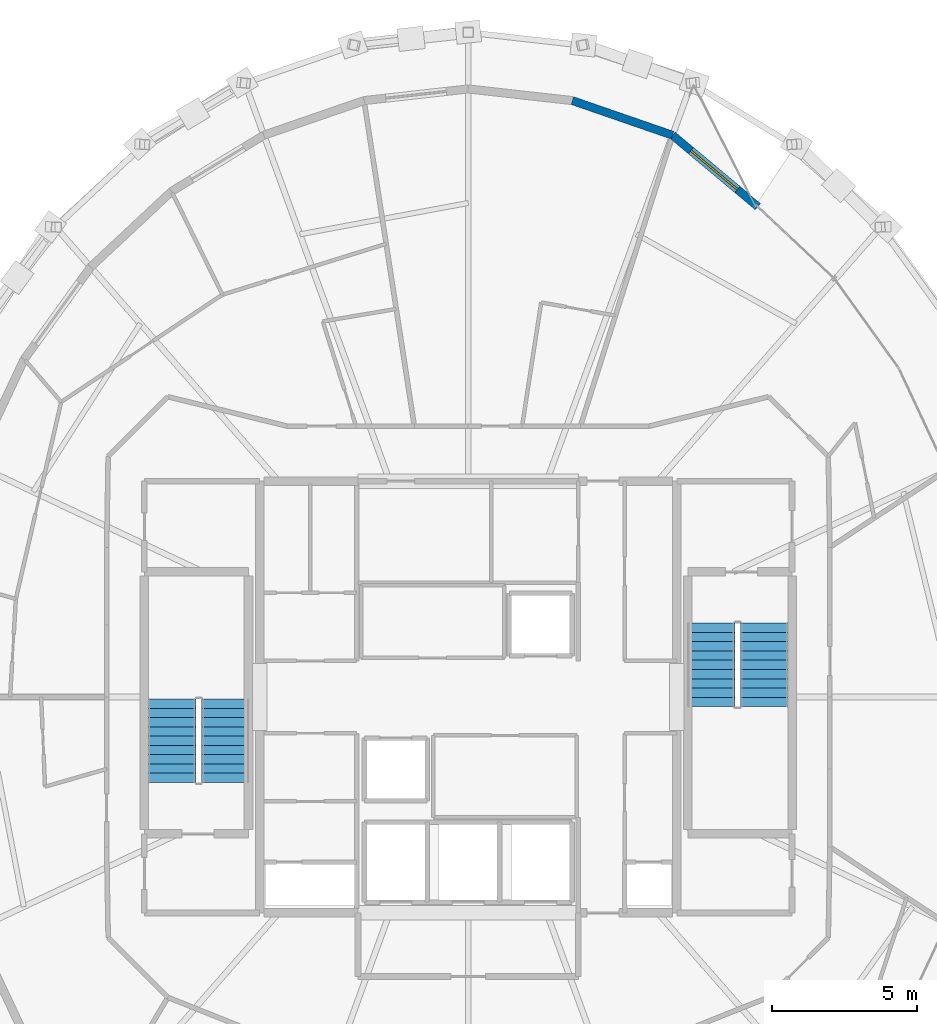
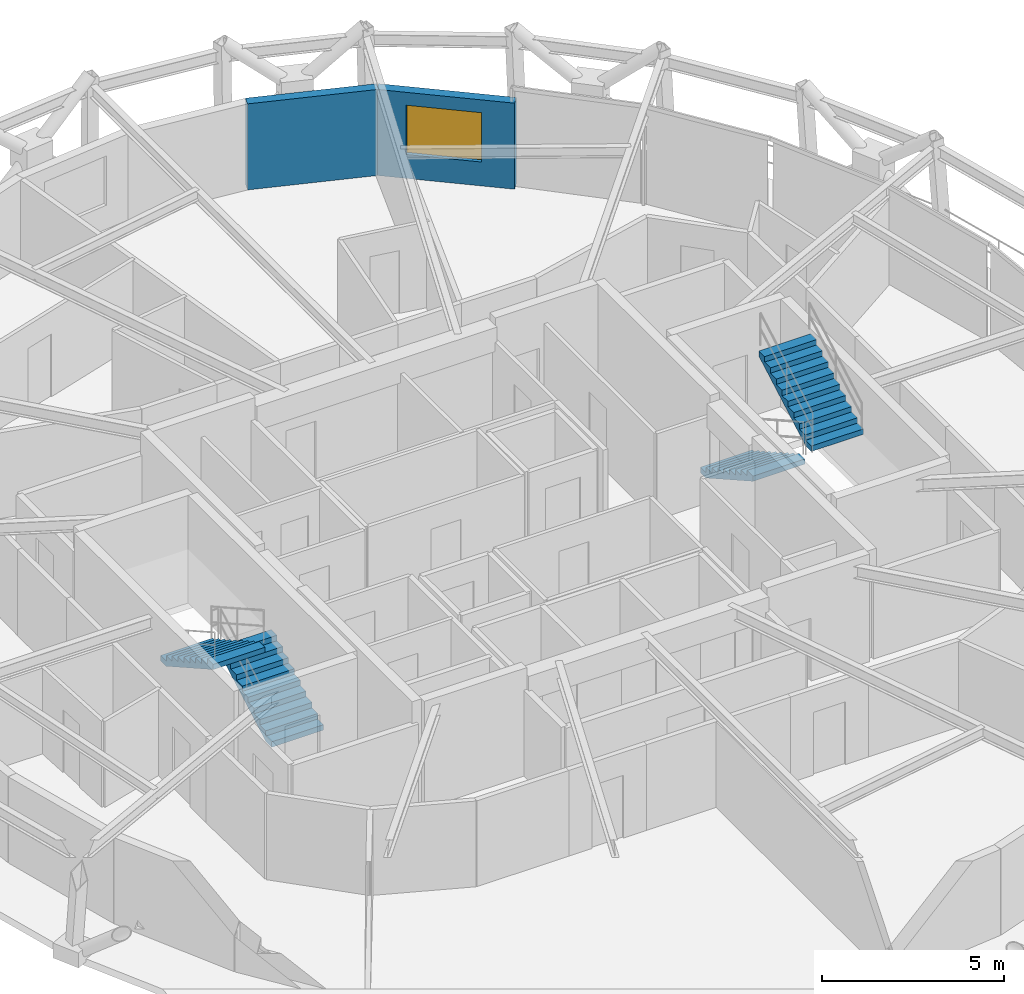
# One storey, part 15 of 16: 4 stair flights, 2 walls, 1 window, 1 opening, 2 elements without a shape of their own.
"""IFC4 building model written with IfcOpenShell, lengths in metres."""

import ifcopenshell
import ifcopenshell.guid

model = None  # the IFC model being written
_history = None  # IfcOwnerHistory: only IFC2X3 demands one
_inside = {}  # id of a spatial element -> (the spatial element, [elements in it])
_under = {}  # id of a project, library or spatial element -> (it, [spatial elements below it])
_declared = {}  # id of a project -> (the project, [libraries it declares])
_typed = {}  # id of a type object -> (the type object, [elements of that type])
_made_of = {}  # id of a material, layer set ... -> (it, [elements and type objects made of it])


def new_model(schema):
    """Start an empty IFC model of exactly this schema.

    Asked for "IFC4X3", IfcOpenShell would pick the latest addendum, in which some entities
    have other attributes; the version numbers below select the first issue.
    IFC2X3 requires an IfcOwnerHistory on every rooted entity: one is made here for all.
    """
    global model, _history
    if schema == "IFC4X3":
        model = ifcopenshell.file(schema_version=(4, 3, 0, 0))
    else:
        model = ifcopenshell.file(schema=schema)
    _inside.clear()
    _under.clear()
    _declared.clear()
    _typed.clear()
    _made_of.clear()
    _history = None
    if model.schema == "IFC2X3":
        org = make("IfcOrganization", Name="unknown")
        user = make(
            "IfcPersonAndOrganization",
            ThePerson=make("IfcPerson", FamilyName="unknown"),
            TheOrganization=org,
        )
        app = make(
            "IfcApplication",
            ApplicationDeveloper=org,
            Version="unknown",
            ApplicationFullName="unknown",
            ApplicationIdentifier="unknown",
        )
        _history = make(
            "IfcOwnerHistory",
            OwningUser=user,
            OwningApplication=app,
            ChangeAction="ADDED",
            CreationDate=0,
        )
    return model


def make(cls, **values):
    """One entity of the class cls with the attributes given. An attribute that is None is left unset."""
    return model.create_entity(
        cls, **{name: value for name, value in values.items() if value is not None}
    )


def rooted(cls, **values):
    """An entity with a GlobalId (a new one), such as an element, a storey or a relation."""
    return make(cls, GlobalId=ifcopenshell.guid.new(), OwnerHistory=_history, **values)


def si_unit(unit_type, name, prefix=None):
    """IfcSIUnit, for example si_unit("LENGTHUNIT", "METRE", prefix="MILLI")."""
    return make("IfcSIUnit", UnitType=unit_type, Prefix=prefix, Name=name)


def assignment(units):
    """IfcUnitAssignment: the units of a project."""
    return None if units is None else make("IfcUnitAssignment", Units=units)


def point(xyz):
    """IfcCartesianPoint."""
    return None if xyz is None else make("IfcCartesianPoint", Coordinates=xyz)


def direction(xyz):
    """IfcDirection."""
    return None if xyz is None else make("IfcDirection", DirectionRatios=xyz)


def frame(location, z_axis=None, x_axis=None):
    """IfcAxis2Placement3D, a coordinate frame: its origin and axes. An axis left out is left unset."""
    return make(
        "IfcAxis2Placement3D",
        Location=point(location),
        Axis=direction(z_axis),
        RefDirection=direction(x_axis),
    )


def frame_2d(location, x_axis=None):
    """IfcAxis2Placement2D, a coordinate frame in the plane: its origin and x axis."""
    return make(
        "IfcAxis2Placement2D", Location=point(location), RefDirection=direction(x_axis)
    )


def origin():
    """The frame at (0, 0, 0) with its axes left unset."""
    return frame((0.0, 0.0, 0.0))


def place(relative_to, where):
    """IfcLocalPlacement: puts the frame where relative to a parent placement (None: the world)."""
    return make(
        "IfcLocalPlacement", PlacementRelTo=relative_to, RelativePlacement=where
    )


def context(
    kind, dimensions, precision=None, world=None, true_north=None, identifier=None
):
    """IfcGeometricRepresentationContext, for example the 3D "Model" context."""
    return make(
        "IfcGeometricRepresentationContext",
        ContextIdentifier=identifier,
        ContextType=kind,
        CoordinateSpaceDimension=dimensions,
        Precision=precision,
        WorldCoordinateSystem=world,
        TrueNorth=true_north,
    )


def subcontext(parent, identifier, kind, view, scale=None):
    """IfcGeometricRepresentationSubContext, for example "Body" below "Model"."""
    return make(
        "IfcGeometricRepresentationSubContext",
        ContextIdentifier=identifier,
        ContextType=kind,
        ParentContext=parent,
        TargetScale=scale,
        TargetView=view,
    )


def project(units=None, contexts=None):
    """IfcProject with its units and contexts."""
    return rooted(
        "IfcProject",
        Name="project",
        RepresentationContexts=contexts,
        UnitsInContext=assignment(units),
    )


def spatial(cls, under=None, at=None, **own):
    """A site, building, storey or space (cls), placed at a placement, below another one or the project."""
    s = rooted(cls, ObjectPlacement=at, **own)
    if under is not None:
        _under.setdefault(under.id(), (under, []))[1].append(s)
    return s


def polyline(points):
    """IfcPolyline through the points."""
    return make("IfcPolyline", Points=[point(p) for p in points])


def profile(cls, at=None, kind="AREA", **sizes):
    """A parametric profile (cls). Its sizes go by their IFC names, for example OverallWidth=200.0."""
    return make(cls, ProfileType=kind, Position=at, **sizes)


def rectangle(**sizes):
    """IfcRectangleProfileDef."""
    return profile("IfcRectangleProfileDef", **sizes)


def outline(outer, holes=None, kind="AREA"):
    """IfcArbitraryClosedProfileDef: a profile drawn as a closed curve; with holes, ...WithVoids."""
    if holes is None:
        return make("IfcArbitraryClosedProfileDef", ProfileType=kind, OuterCurve=outer)
    return make(
        "IfcArbitraryProfileDefWithVoids",
        ProfileType=kind,
        OuterCurve=outer,
        InnerCurves=holes,
    )


def extrude(swept, where, along, depth):
    """IfcExtrudedAreaSolid: the profile swept, set in the frame where, extruded along a direction by depth."""
    return make(
        "IfcExtrudedAreaSolid",
        SweptArea=swept,
        Position=where,
        ExtrudedDirection=direction(along),
        Depth=depth,
    )


def shape(context_of_items, identifier, shape_type, items):
    """IfcShapeRepresentation: the items that make up one representation, for example the "Body"."""
    return make(
        "IfcShapeRepresentation",
        ContextOfItems=context_of_items,
        RepresentationIdentifier=identifier,
        RepresentationType=shape_type,
        Items=items,
    )


def material(Name=None, Category=None):
    """IfcMaterial."""
    return make("IfcMaterial", Name=Name, Category=Category)


def layer(
    of_material, thickness, ventilated=None, Name=None, Category=None, Priority=None
):
    """IfcMaterialLayer: one layer of a wall or slab, of a material (None: an air gap)."""
    return make(
        "IfcMaterialLayer",
        Material=of_material,
        LayerThickness=thickness,
        IsVentilated=ventilated,
        Name=Name,
        Category=Category,
        Priority=Priority,
    )


def layer_set(layers, Name=None):
    """IfcMaterialLayerSet."""
    return make("IfcMaterialLayerSet", MaterialLayers=layers, LayerSetName=Name)


def made_of(thing, what):
    """Note that an element or type object is made of a material, layer set ...; save() writes the relation."""
    if what is not None:
        _made_of.setdefault(what.id(), (what, []))[1].append(thing)
    return thing


def type_object(cls, material=None, **own):
    """A type object (cls), such as IfcWallType, which elements share."""
    return made_of(rooted(cls, **own), material)


def element(
    cls,
    number,
    at=None,
    inside=None,
    cuts=None,
    type_object=None,
    material=None,
    context=None,
    identifier="Body",
    shape_type=None,
    held_by="IfcProductDefinitionShape",
    body=None,
    shapes=None,
    **own,
):
    """One element of the class cls, such as IfcWall. Its Tag is "e" and its number.

    at: its placement. inside: the storey or other place that contains it. cuts: it is an
    opening in that element (IfcRelVoidsElement). A single representation is given by context,
    identifier, shape_type and body (its items); several are given by shapes. held_by: the class
    of the entity that holds the representations. save() writes the other relations.
    """
    e = rooted(cls, Tag="e%d" % number, ObjectPlacement=at, **own)
    if body is not None:
        shapes = [shape(context, identifier, shape_type, body)]
    if shapes is not None:
        e.Representation = make(held_by, Representations=shapes)
    if inside is not None:
        _inside.setdefault(inside.id(), (inside, []))[1].append(e)
    if cuts is not None:
        rooted(
            "IfcRelVoidsElement", RelatingBuildingElement=cuts, RelatedOpeningElement=e
        )
    if type_object is not None:
        _typed.setdefault(type_object.id(), (type_object, []))[1].append(e)
    return made_of(e, material)


def fill(opening, filler):
    """IfcRelFillsElement: the door or window that sits in an opening."""
    return rooted(
        "IfcRelFillsElement",
        RelatingOpeningElement=opening,
        RelatedBuildingElement=filler,
    )


def aggregate(whole, parts):
    """IfcRelAggregates: a whole, such as a stair, and the parts it consists of."""
    return rooted("IfcRelAggregates", RelatingObject=whole, RelatedObjects=parts)


def save(model, path):
    """Write the relations noted so far, then the file.

    IfcRelAggregates (storeys below a building ...), IfcRelContainedInSpatialStructure (elements
    in a storey), IfcRelDefinesByType, IfcRelAssociatesMaterial and IfcRelDeclares: one each for
    every whole, place, type object, material and project.
    """
    for whole, parts in _under.values():
        aggregate(whole, parts)
    for where, things in _inside.values():
        rooted(
            "IfcRelContainedInSpatialStructure",
            RelatedElements=things,
            RelatingStructure=where,
        )
    for kind, things in _typed.values():
        rooted("IfcRelDefinesByType", RelatedObjects=things, RelatingType=kind)
    for what, things in _made_of.values():
        rooted("IfcRelAssociatesMaterial", RelatedObjects=things, RelatingMaterial=what)
    for by, libraries in _declared.values():
        rooted("IfcRelDeclares", RelatingContext=by, RelatedDefinitions=libraries)
    model.write(path)


model = new_model("IFC4")

# Units and contexts
model_context = context("Model", 3, precision=1e-05, world=origin(), true_north=direction((0.0, 1.0)))
body_context = subcontext(model_context, "Body", "Model", "MODEL_VIEW")
ifc_project = project(units=[si_unit("LENGTHUNIT", "METRE"), si_unit("AREAUNIT", "SQUARE_METRE"), si_unit("VOLUMEUNIT", "CUBIC_METRE"), si_unit("PLANEANGLEUNIT", "RADIAN"), si_unit("MASSUNIT", "GRAM", prefix="KILO")], contexts=[model_context])

# Site, building, storey
site_placement = place(None, origin())
site = spatial("IfcSite", under=ifc_project, at=site_placement, CompositionType="ELEMENT")
building_placement = place(site_placement, origin())
building = spatial("IfcBuilding", under=site, at=building_placement, Name="Veldorina Hangang Commons", CompositionType="ELEMENT")
storey_placement = place(building_placement, frame((0.0, 0.0, 283.199951171875)))
storey = spatial("IfcBuildingStorey", under=building, at=storey_placement, Name="L74", CompositionType="ELEMENT", Elevation=283.199951171875)

# Wall, opening, window
ifc_material_1 = material(Name="Stone Roman Travertine", Category="masonry")
ifc_layer = layer(ifc_material_1, 0.280029296875)
ifc_layer_set = layer_set([ifc_layer], Name="Stone Roman Travertine")
wall_type = type_object("IfcWallType", Name="EW-TRAV-280", PredefinedType="STANDARD", material=ifc_layer_set)
wall_1_placement = place(storey_placement, frame((41.99853515625, 40.9267578125, 0.0), z_axis=(0.0, 0.0, 1.0), x_axis=(-0.767031932992, 0.641608925882, 0.0)))
wall_1 = element("IfcWall", 1, at=wall_1_placement, inside=storey, type_object=wall_type, Name="L74 travertine facade wall 05", PredefinedType="STANDARD", context=body_context, shape_type="SweptSolid", body=[
    extrude(rectangle(XDim=3.840576171875, YDim=0.280029296875, at=frame_2d((1.92041015625, 0.0))), origin(), (0.0, 0.0, 1.0), 2.880126953125),
])
opening_placement = place(wall_1_placement, frame((0.916259765625, 0.0, 0.800048828125)))
opening = element("IfcOpeningElement", 2, at=opening_placement, cuts=wall_1, Name="Opening W-03", PredefinedType="OPENING", context=body_context, shape_type="SweptSolid", body=[
    extrude(rectangle(XDim=2.10009765625, YDim=1.64990234375, at=frame_2d((1.050048828125, 0.824951171875))), frame((0.0, 0.14990234375, 0.0), z_axis=(0.0, -1.0, 0.0), x_axis=(1.0, 0.0, 0.0)), (0.0, 0.0, 1.0), 0.300048828125),
])
ifc_material_2 = material(Name="Glass Low-E Triple IGU", Category="glass")
window_type = type_object("IfcWindowType", Name="WIN-TWR-2100", PartitioningType="SINGLE_PANEL", PredefinedType="WINDOW", material=ifc_material_2)
window_placement = place(opening_placement, origin())
window = element("IfcWindow", 3, at=window_placement, inside=storey, type_object=window_type, Name="L74 facade window 05", OverallHeight=1.64990234375, OverallWidth=2.10009765625, PartitioningType="SINGLE_PANEL", PredefinedType="WINDOW", context=body_context, shape_type="SweptSolid", body=[
    extrude(rectangle(XDim=2.10009765625, YDim=1.64990234375, at=frame_2d((1.050048828125, 0.824951171875))), frame((0.0, 0.030029296875, 0.0), z_axis=(0.0, -1.0, 0.0), x_axis=(1.0, 0.0, 0.0)), (0.0, 0.0, 1.0), 0.06005859375),
])
fill(opening, window)

# Wall
wall_2_placement = place(storey_placement, frame((39.052734375, 43.390869140625, 0.0), z_axis=(0.0, 0.0, 1.0), x_axis=(-0.945189830933, 0.326521336976, 0.0)))
element("IfcWall", 4, at=wall_2_placement, inside=storey, type_object=wall_type, Name="L74 travertine facade wall 06", PredefinedType="STANDARD", context=body_context, shape_type="SweptSolid", body=[
    extrude(rectangle(XDim=3.65771484375, YDim=0.280029296875, at=frame_2d((1.828857421875, 0.0))), origin(), (0.0, 0.0, 1.0), 2.880126953125),
])

# Stair, stair flights
ifc_material_3 = material(Name="Concrete C40/50", Category="concrete")
stair_type = type_object("IfcStairType", Name="STR-DOG-1650-20R", PredefinedType="HALF_TURN_STAIR", material=ifc_material_3)
stair_1_placement = place(storey_placement, origin())
stair_1 = element("IfcStair", 5, at=stair_1_placement, inside=storey, type_object=stair_type, Name="L74 Exit stair ST-1", PredefinedType="HALF_TURN_STAIR")
stair_flight_type = type_object("IfcStairFlightType", Name="SFL-STR-1650-20R", PredefinedType="STRAIGHT", material=ifc_material_3)
stair_flight_1_placement = place(storey_placement, frame((23.625, 21.050048828125, 0.0), z_axis=(0.0, 0.0, 1.0), x_axis=(0.0, 1.0, 0.0)))
stair_flight_1 = element("IfcStairFlight", 6, at=stair_flight_1_placement, type_object=stair_flight_type, Name="ST-1 flight 1", NumberOfRisers=10, NumberOfTreads=9, PredefinedType="STRAIGHT", RiserHeight=0.18, TreadLength=0.32, context=body_context, shape_type="SweptSolid", body=[
    extrude(outline(polyline([(0.0, 0.0), (0.0, 0.179931640625), (0.320068359375, 0.179931640625), (0.320068359375, 0.360107421875), (0.639892578125, 0.360107421875), (0.639892578125, 0.5400390625), (0.9599609375, 0.5400390625), (0.9599609375, 0.719970703125), (1.280029296875, 0.719970703125), (1.280029296875, 0.89990234375), (1.60009765625, 0.89990234375), (1.60009765625, 1.080078125), (1.919921875, 1.080078125), (1.919921875, 1.260009765625), (2.239990234375, 1.260009765625), (2.239990234375, 1.43994140625), (2.56005859375, 1.43994140625), (2.56005859375, 1.6201171875), (2.8798828125, 1.6201171875), (2.8798828125, 1.800048828125), (2.8798828125, 1.447998046875), (0.3056640625, 0.0), (0.0, 0.0)])), frame((0.0, 0.824951171875, 0.0), z_axis=(0.0, -1.0, 0.0), x_axis=(1.0, 0.0, 0.0)), (0.0, 0.0, 1.0), 1.64990234375),
])
stair_flight_2_placement = place(storey_placement, frame((21.77490234375, 23.929931640625, 1.800048828125), z_axis=(0.0, 0.0, 1.0), x_axis=(0.0, -1.0, 0.0)))
stair_flight_2 = element("IfcStairFlight", 7, at=stair_flight_2_placement, type_object=stair_flight_type, Name="ST-1 flight 2", NumberOfRisers=10, NumberOfTreads=9, PredefinedType="STRAIGHT", RiserHeight=0.18, TreadLength=0.32, context=body_context, shape_type="SweptSolid", body=[
    extrude(outline(polyline([(0.0, 0.0), (0.0, 0.179931640625), (0.320068359375, 0.179931640625), (0.320068359375, 0.360107421875), (0.639892578125, 0.360107421875), (0.639892578125, 0.5400390625), (0.9599609375, 0.5400390625), (0.9599609375, 0.719970703125), (1.280029296875, 0.719970703125), (1.280029296875, 0.89990234375), (1.60009765625, 0.89990234375), (1.60009765625, 1.080078125), (1.919921875, 1.080078125), (1.919921875, 1.260009765625), (2.239990234375, 1.260009765625), (2.239990234375, 1.43994140625), (2.56005859375, 1.43994140625), (2.56005859375, 1.6201171875), (2.8798828125, 1.6201171875), (2.8798828125, 1.800048828125), (2.8798828125, 1.447998046875), (0.3056640625, 0.0), (0.0, 0.0)])), frame((0.0, 0.824951171875, 0.0), z_axis=(0.0, -1.0, 0.0), x_axis=(1.0, 0.0, 0.0)), (0.0, 0.0, 1.0), 1.64990234375),
])
aggregate(stair_1, [stair_flight_1, stair_flight_2])

stair_2_placement = place(storey_placement, origin())
stair_2 = element("IfcStair", 8, at=stair_2_placement, inside=storey, type_object=stair_type, Name="L74 Exit stair ST-2", PredefinedType="HALF_TURN_STAIR")
stair_flight_3_placement = place(storey_placement, frame((40.375, 26.550048828125, 0.0), z_axis=(0.0, 0.0, 1.0), x_axis=(0.0, -1.0, 0.0)))
stair_flight_3 = element("IfcStairFlight", 9, at=stair_flight_3_placement, type_object=stair_flight_type, Name="ST-2 flight 1", NumberOfRisers=10, NumberOfTreads=9, PredefinedType="STRAIGHT", RiserHeight=0.18, TreadLength=0.32, context=body_context, shape_type="SweptSolid", body=[
    extrude(outline(polyline([(0.0, 0.0), (0.0, 0.179931640625), (0.320068359375, 0.179931640625), (0.320068359375, 0.360107421875), (0.639892578125, 0.360107421875), (0.639892578125, 0.5400390625), (0.9599609375, 0.5400390625), (0.9599609375, 0.719970703125), (1.280029296875, 0.719970703125), (1.280029296875, 0.89990234375), (1.60009765625, 0.89990234375), (1.60009765625, 1.080078125), (1.919921875, 1.080078125), (1.919921875, 1.260009765625), (2.239990234375, 1.260009765625), (2.239990234375, 1.43994140625), (2.56005859375, 1.43994140625), (2.56005859375, 1.6201171875), (2.8798828125, 1.6201171875), (2.8798828125, 1.800048828125), (2.8798828125, 1.447998046875), (0.3056640625, 0.0), (0.0, 0.0)])), frame((0.0, 0.824951171875, 0.0), z_axis=(0.0, -1.0, 0.0), x_axis=(1.0, 0.0, 0.0)), (0.0, 0.0, 1.0), 1.64990234375),
])
stair_flight_4_placement = place(storey_placement, frame((42.22509765625, 23.669921875, 1.800048828125), z_axis=(0.0, 0.0, 1.0), x_axis=(0.0, 1.0, 0.0)))
stair_flight_4 = element("IfcStairFlight", 10, at=stair_flight_4_placement, type_object=stair_flight_type, Name="ST-2 flight 2", NumberOfRisers=10, NumberOfTreads=9, PredefinedType="STRAIGHT", RiserHeight=0.18, TreadLength=0.32, context=body_context, shape_type="SweptSolid", body=[
    extrude(outline(polyline([(0.0, 0.0), (0.0, 0.179931640625), (0.320068359375, 0.179931640625), (0.320068359375, 0.360107421875), (0.639892578125, 0.360107421875), (0.639892578125, 0.5400390625), (0.9599609375, 0.5400390625), (0.9599609375, 0.719970703125), (1.280029296875, 0.719970703125), (1.280029296875, 0.89990234375), (1.60009765625, 0.89990234375), (1.60009765625, 1.080078125), (1.919921875, 1.080078125), (1.919921875, 1.260009765625), (2.239990234375, 1.260009765625), (2.239990234375, 1.43994140625), (2.56005859375, 1.43994140625), (2.56005859375, 1.6201171875), (2.8798828125, 1.6201171875), (2.8798828125, 1.800048828125), (2.8798828125, 1.447998046875), (0.3056640625, 0.0), (0.0, 0.0)])), frame((0.0, 0.824951171875, 0.0), z_axis=(0.0, -1.0, 0.0), x_axis=(1.0, 0.0, 0.0)), (0.0, 0.0, 1.0), 1.64990234375),
])
aggregate(stair_2, [stair_flight_3, stair_flight_4])

save(model, "model.ifc")
